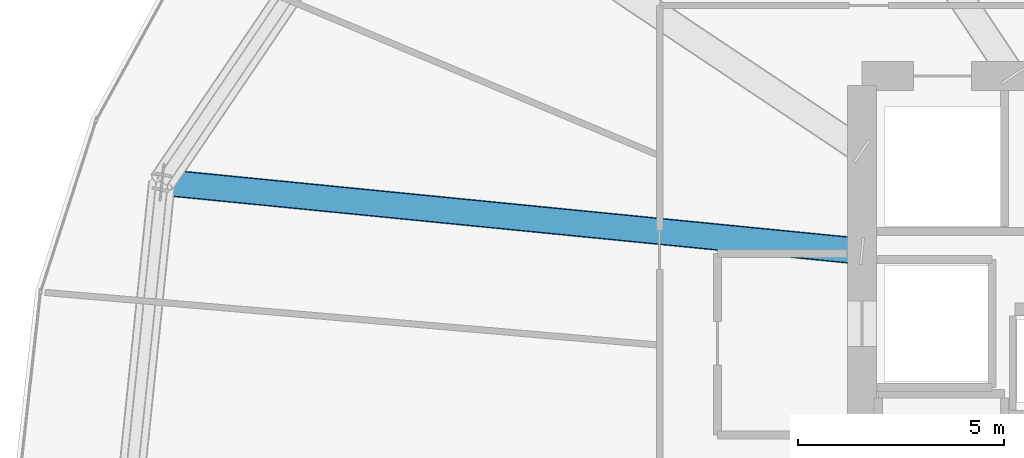
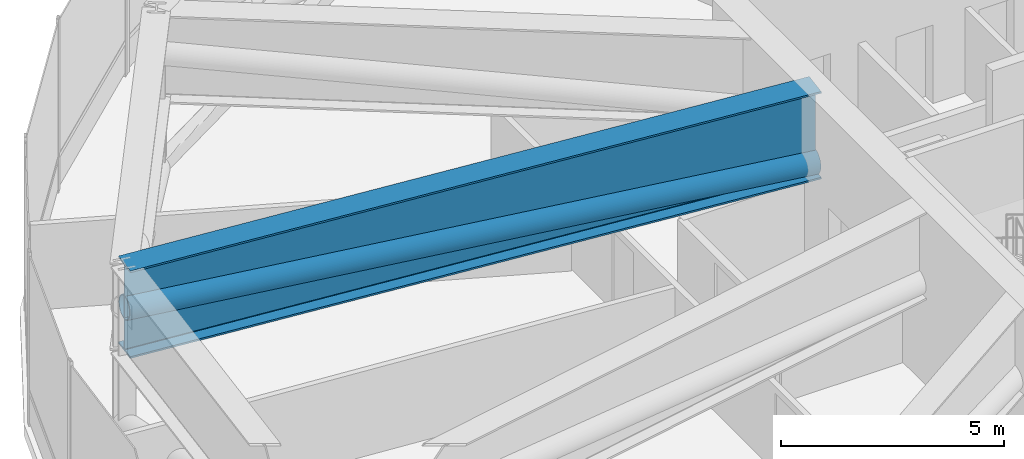
# One storey, part 10 of 33: 1 beam, 1 member.
"""IFC4 building model written with IfcOpenShell, lengths in metres."""

from ifc_helpers import new_model, si_unit, direction, frame, origin, origin_2d, place, context, subcontext, project, spatial, hollow_circle, i_section, extrude, source, transform, mapped, material, material_profile, profile_set, type_object, element, save


model = new_model("IFC4")

# Units and contexts
model_context = context("Model", 3, precision=1e-05, world=origin(), true_north=direction((0.0, 1.0)))
body_context = subcontext(model_context, "Body", "Model", "MODEL_VIEW")
ifc_project = project(units=[si_unit("LENGTHUNIT", "METRE"), si_unit("AREAUNIT", "SQUARE_METRE"), si_unit("VOLUMEUNIT", "CUBIC_METRE"), si_unit("PLANEANGLEUNIT", "RADIAN"), si_unit("MASSUNIT", "GRAM", prefix="KILO"), si_unit("THERMODYNAMICTEMPERATUREUNIT", "KELVIN")], contexts=[model_context])

# Site, building, storey
site_placement = place(None, origin())
site = spatial("IfcSite", under=ifc_project, at=site_placement, CompositionType="ELEMENT")
building_placement = place(site_placement, origin())
building = spatial("IfcBuilding", under=site, at=building_placement, Name="Kethvar Cultural Tower", CompositionType="ELEMENT")
storey_placement = place(building_placement, frame((0.0, 0.0, 80.39990234375)))
storey = spatial("IfcBuildingStorey", under=building, at=storey_placement, Name="L19", CompositionType="ELEMENT", Elevation=80.39990234375)

# Beam
ifc_material = material(Name="Steel S460M", Category="steel")
ifc_material_profile_1 = material_profile(ifc_material, i_section(OverallWidth=0.64990234375, OverallDepth=2.39990234375, WebThickness=0.030029296875, FlangeThickness=0.048095703125, FilletRadius=0.02197265625, at=origin_2d()), Name="Steel S460M — PG2400x650x48x30")
ifc_profile_set_1 = profile_set([ifc_material_profile_1], Name="Steel S460M — PG2400x650x48x30")
beam_type = type_object("IfcBeamType", Name="BM-TR2400", PredefinedType="BEAM", material=ifc_profile_set_1)
shared_shape_1 = source(origin(), body_context, "Body", "SweptSolid", [
    extrude(i_section(OverallWidth=0.64990234375, OverallDepth=2.39990234375, WebThickness=0.030029296875, FlangeThickness=0.048095703125, FilletRadius=0.02197265625, at=origin_2d()), origin(), (0.0, 0.0, 1.0), 17.03515625),
])
beam_placement = place(storey_placement, frame((38.0, 31.25, 3.55810546875), z_axis=(-0.995168138859, 0.098185413375, 0.0), x_axis=(-0.098185413375, -0.995168138859, 0.0)))
element("IfcBeam", 1, at=beam_placement, inside=storey, type_object=beam_type, Name="L19 Outrigger Transfer Girder OG-08", PredefinedType="BEAM", context=body_context, shape_type="MappedRepresentation", body=[
    mapped(shared_shape_1, transform((0.0, 0.0, 0.0), scale=1.0)),
])

# Member
ifc_material_profile_2 = material_profile(ifc_material, hollow_circle(Radius=0.304931640625, WallThickness=0.02490234375, at=origin_2d()), Name="Steel S460M — CHS610x25")
ifc_profile_set_2 = profile_set([ifc_material_profile_2], Name="Steel S460M — CHS610x25")
member_type = type_object("IfcMemberType", Name="MB-OUT-610", PredefinedType="BRACE", material=ifc_profile_set_2)
shared_shape_2 = source(origin(), body_context, "Body", "SweptSolid", [
    extrude(hollow_circle(Radius=0.304931640625, WallThickness=0.02490234375, at=origin_2d()), origin(), (0.0, 0.0, 1.0), 17.059326171875),
])
member_placement = place(storey_placement, frame((38.0, 31.25, 2.650146484375), z_axis=(-0.993757614032, 0.098046247984, 0.053223470479), x_axis=(-0.098185413375, -0.995168138859, 0.0)))
element("IfcMember", 2, at=member_placement, inside=storey, type_object=member_type, Name="L19 Outrigger Truss Diagonal OB-08", PredefinedType="BRACE", context=body_context, shape_type="MappedRepresentation", body=[
    mapped(shared_shape_2, transform((0.0, 0.0, 0.0), scale=1.0)),
])

save(model, "model.ifc")
